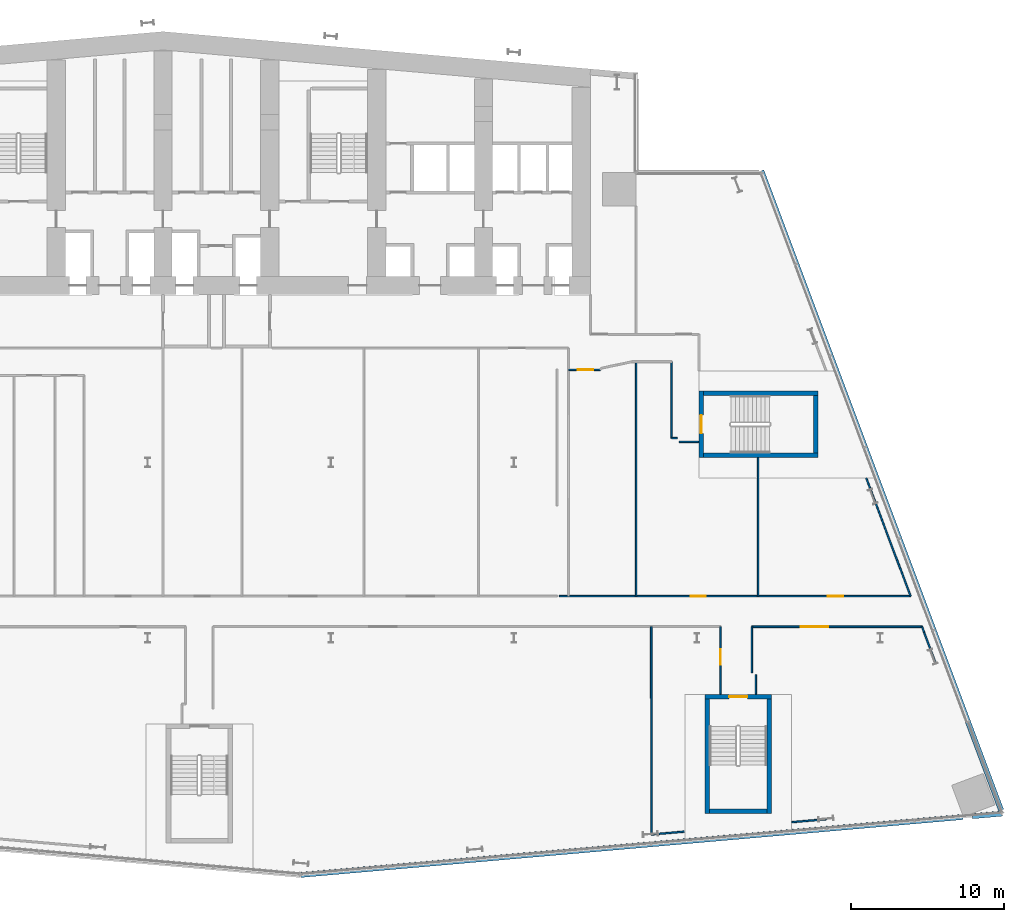
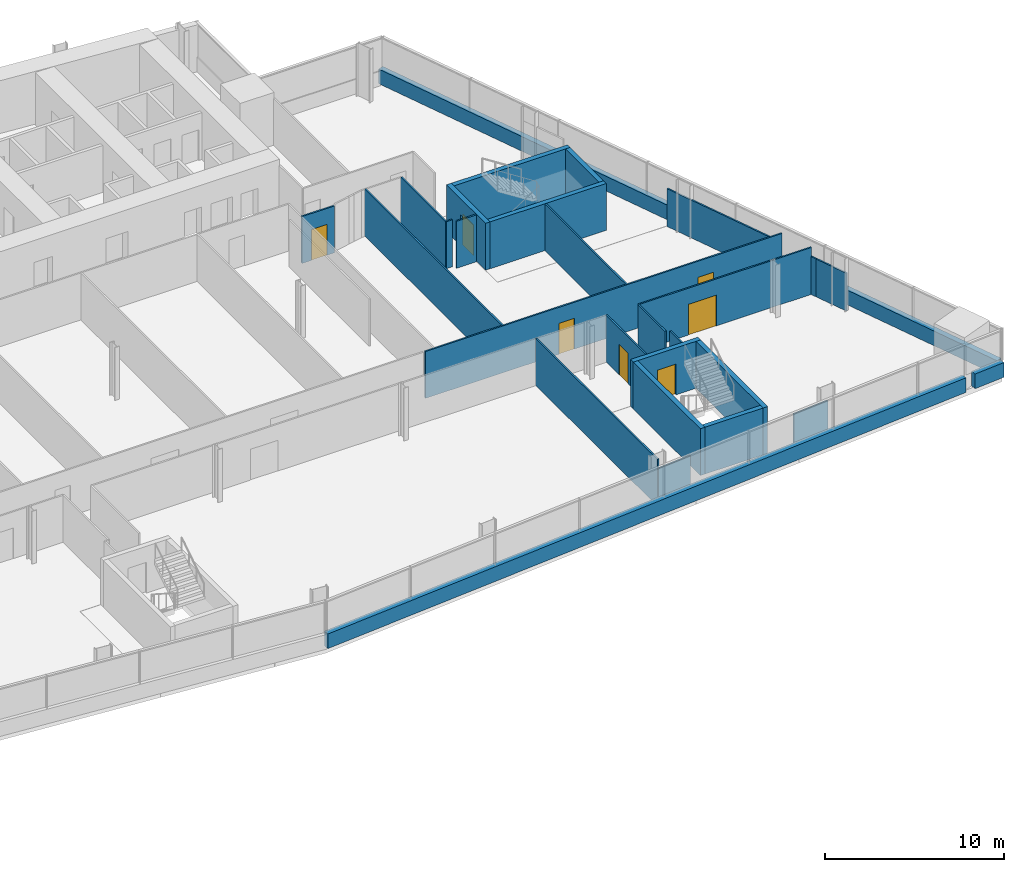
# One storey, part 18 of 24: 28 walls, 7 doors, 7 openings.
"""IFC4 building model written with IfcOpenShell, lengths in metres."""

from ifc_helpers import new_model, si_unit, direction, frame, frame_2d, origin, place, context, subcontext, project, spatial, rectangle, extrude, material, layer, layer_set, type_object, element, fill, save


model = new_model("IFC4")

# Units and contexts
model_context = context("Model", 3, precision=1e-05, world=origin(), true_north=direction((0.0, 1.0)))
body_context = subcontext(model_context, "Body", "Model", "MODEL_VIEW")
ifc_project = project(units=[si_unit("LENGTHUNIT", "METRE"), si_unit("AREAUNIT", "SQUARE_METRE"), si_unit("VOLUMEUNIT", "CUBIC_METRE"), si_unit("PLANEANGLEUNIT", "RADIAN"), si_unit("MASSUNIT", "GRAM", prefix="KILO")], contexts=[model_context])

# Site, building, storey
site_placement = place(None, origin())
site = spatial("IfcSite", under=ifc_project, at=site_placement, CompositionType="ELEMENT")
building_placement = place(site_placement, origin())
building = spatial("IfcBuilding", under=site, at=building_placement, Name="Wharfspan Tower", CompositionType="ELEMENT")
storey_placement = place(building_placement, frame((0.0, 0.0, 41.5)))
storey = spatial("IfcBuildingStorey", under=building, at=storey_placement, Name="L06", CompositionType="ELEMENT", Elevation=41.5)

# Wall, openings, doors
ifc_material_1 = material(Name="Gypsum board on steel studs", Category="steel")
ifc_layer_1 = layer(ifc_material_1, 0.100098)
ifc_layer_set_1 = layer_set([ifc_layer_1], Name="Gypsum board on steel studs")
wall_type_1 = type_object("IfcWallType", Name="Compartment wall 100 EI 60", PredefinedType="PARTITIONING", material=ifc_layer_set_1)
wall_1_placement = place(storey_placement, frame((62.97998, 14.23999, 0.0), z_axis=(0.0, 0.0, 1.0), x_axis=(1.0, 0.0, 0.0)))
wall_1 = element("IfcWall", 1, at=wall_1_placement, inside=storey, type_object=wall_type_1, Name="Partition L06.w047", PredefinedType="PARTITIONING", context=body_context, shape_type="SweptSolid", body=[
    extrude(rectangle(XDim=23.01001, YDim=0.100098, at=frame_2d((11.504883, 0.0))), origin(), (0.0, 0.0, 1.0), 3.199951),
])
opening_1_placement = place(wall_1_placement, frame((8.600098, 0.0, 0.0)))
opening_1 = element("IfcOpeningElement", 2, at=opening_1_placement, cuts=wall_1, Name="Opening A1-17", PredefinedType="OPENING", context=body_context, shape_type="SweptSolid", body=[
    extrude(rectangle(XDim=1.0, YDim=2.100098, at=frame_2d((0.5, 1.050049))), frame((0.0, 0.060059, 0.0), z_axis=(0.0, -1.0, 0.0), x_axis=(1.0, 0.0, 0.0)), (0.0, 0.0, 1.0), 0.120117),
])
opening_2_placement = place(wall_1_placement, frame((17.595459, 0.0, 0.0)))
opening_2 = element("IfcOpeningElement", 3, at=opening_2_placement, cuts=wall_1, Name="Opening A1-18", PredefinedType="OPENING", context=body_context, shape_type="SweptSolid", body=[
    extrude(rectangle(XDim=1.0, YDim=2.100098, at=frame_2d((0.5, 1.050049))), frame((0.0, 0.060059, 0.0), z_axis=(0.0, -1.0, 0.0), x_axis=(1.0, 0.0, 0.0)), (0.0, 0.0, 1.0), 0.120117),
])
ifc_material_2 = material(Name="Fire-rated timber door leaf in steel frame", Category="steel")
door_type_1 = type_object("IfcDoorType", Name="Door 1000 FD30S Left", OperationType="SINGLE_SWING_LEFT", PredefinedType="DOOR", material=ifc_material_2)
door_1_placement = place(opening_1_placement, origin())
door_1 = element("IfcDoor", 4, at=door_1_placement, inside=storey, type_object=door_type_1, Name="Door A1-17", OperationType="SINGLE_SWING_LEFT", OverallHeight=2.100098, OverallWidth=1.0, PredefinedType="DOOR", context=body_context, shape_type="SweptSolid", body=[
    extrude(rectangle(XDim=1.0, YDim=2.100098, at=frame_2d((0.5, 1.050049))), frame((0.0, 0.024902, 0.0), z_axis=(0.0, -1.0, 0.0), x_axis=(1.0, 0.0, 0.0)), (0.0, 0.0, 1.0), 0.050049),
])
fill(opening_1, door_1)
door_type_2 = type_object("IfcDoorType", Name="Door 1000 FD30S Right", OperationType="SINGLE_SWING_RIGHT", PredefinedType="DOOR", material=ifc_material_2)
door_2_placement = place(opening_2_placement, origin())
door_2 = element("IfcDoor", 5, at=door_2_placement, inside=storey, type_object=door_type_2, Name="Door A1-18", OperationType="SINGLE_SWING_RIGHT", OverallHeight=2.100098, OverallWidth=1.0, PredefinedType="DOOR", context=body_context, shape_type="SweptSolid", body=[
    extrude(rectangle(XDim=1.0, YDim=2.100098, at=frame_2d((0.5, 1.050049))), frame((0.0, 0.024902, 0.0), z_axis=(0.0, -1.0, 0.0), x_axis=(1.0, 0.0, 0.0)), (0.0, 0.0, 1.0), 0.050049),
])
fill(opening_2, door_2)

# Wall, opening, door
wall_2_placement = place(storey_placement, frame((63.574951, 29.074951, 0.0), z_axis=(0.0, 0.0, 1.0), x_axis=(1.0, 0.0, 0.0)))
wall_2 = element("IfcWall", 6, at=wall_2_placement, inside=storey, type_object=wall_type_1, Name="Partition L06.w049", PredefinedType="PARTITIONING", context=body_context, shape_type="SweptSolid", body=[
    extrude(rectangle(XDim=2.080078, YDim=0.100098, at=frame_2d((1.040039, 0.0))), origin(), (0.0, 0.0, 1.0), 3.199951),
])
opening_3_placement = place(wall_2_placement, frame((0.620117, 0.0, 0.0)))
opening_3 = element("IfcOpeningElement", 7, at=opening_3_placement, cuts=wall_2, Name="Opening A1-25", PredefinedType="OPENING", context=body_context, shape_type="SweptSolid", body=[
    extrude(rectangle(XDim=1.0, YDim=2.100098, at=frame_2d((0.5, 1.050049))), frame((0.0, 0.060059, 0.0), z_axis=(0.0, -1.0, 0.0), x_axis=(1.0, 0.0, 0.0)), (0.0, 0.0, 1.0), 0.120117),
])
door_3_placement = place(opening_3_placement, origin())
door_3 = element("IfcDoor", 8, at=door_3_placement, inside=storey, type_object=door_type_2, Name="Door A1-25", OperationType="SINGLE_SWING_RIGHT", OverallHeight=2.100098, OverallWidth=1.0, PredefinedType="DOOR", context=body_context, shape_type="SweptSolid", body=[
    extrude(rectangle(XDim=1.0, YDim=2.100098, at=frame_2d((0.5, 1.050049))), frame((0.0, 0.024902, 0.0), z_axis=(0.0, -1.0, 0.0), x_axis=(1.0, 0.0, 0.0)), (0.0, 0.0, 1.0), 0.050049),
])
fill(opening_3, door_3)

# Walls
wall_3_placement = place(storey_placement, frame((68.0, 14.23999, 0.0), z_axis=(0.0, 0.0, 1.0), x_axis=(0.0, 1.0, 0.0)))
element("IfcWall", 9, at=wall_3_placement, inside=storey, type_object=wall_type_1, Name="Partition L06.w057", PredefinedType="PARTITIONING", context=body_context, shape_type="SweptSolid", body=[
    extrude(rectangle(XDim=15.360107, YDim=0.100098, at=frame_2d((7.680176, 0.0))), origin(), (0.0, 0.0, 1.0), 3.199951),
])
wall_4_placement = place(storey_placement, frame((69.0, -1.379883, 0.0), z_axis=(0.0, 0.0, 1.0), x_axis=(-0.000359, 1.000002, 0.0)))
element("IfcWall", 10, at=wall_4_placement, inside=storey, type_object=wall_type_1, Name="Partition L06.w059", PredefinedType="PARTITIONING", context=body_context, shape_type="SweptSolid", body=[
    extrude(rectangle(XDim=13.61499, YDim=0.100098, at=frame_2d((6.807617, 0.0))), origin(), (0.0, 0.0, 1.0), 3.199951),
])
wall_5_placement = place(storey_placement, frame((70.324951, 24.600098, 0.0), z_axis=(0.0, 0.0, 1.0), x_axis=(0.0, 1.0, 0.0)))
element("IfcWall", 11, at=wall_5_placement, inside=storey, type_object=wall_type_1, Name="Partition L06.w061", PredefinedType="PARTITIONING", context=body_context, shape_type="SweptSolid", body=[
    extrude(rectangle(XDim=5.0, YDim=0.100098, at=frame_2d((2.5, 0.0))), origin(), (0.0, 0.0, 1.0), 3.199951),
])
wall_6_placement = place(storey_placement, frame((70.324951, 24.600098, 0.0), z_axis=(0.0, 0.0, 1.0), x_axis=(1.0, 0.0, 0.0)))
element("IfcWall", 12, at=wall_6_placement, inside=storey, type_object=wall_type_1, Name="Partition L06.w062", PredefinedType="PARTITIONING", context=body_context, shape_type="SweptSolid", body=[
    extrude(rectangle(XDim=0.380127, YDim=0.100098, at=frame_2d((0.189941, 0.0))), origin(), (0.0, 0.0, 1.0), 3.199951),
])
wall_7_placement = place(storey_placement, frame((70.824951, 24.350098, 0.0), z_axis=(0.0, 0.0, 1.0), x_axis=(1.0, 0.0, 0.0)))
element("IfcWall", 13, at=wall_7_placement, inside=storey, type_object=wall_type_1, Name="Partition L06.w063", PredefinedType="PARTITIONING", context=body_context, shape_type="SweptSolid", body=[
    extrude(rectangle(XDim=1.280029, YDim=0.100098, at=frame_2d((0.640137, 0.0))), origin(), (0.0, 0.0, 1.0), 3.199951),
])

# Wall, opening, door
wall_8_placement = place(storey_placement, frame((73.540039, 7.812012, 0.0), z_axis=(0.0, 0.0, 1.0), x_axis=(0.0, 1.0, 0.0)))
wall_8 = element("IfcWall", 14, at=wall_8_placement, inside=storey, type_object=wall_type_1, Name="Partition L06.w065", PredefinedType="PARTITIONING", context=body_context, shape_type="SweptSolid", body=[
    extrude(rectangle(XDim=4.423096, YDim=0.100098, at=frame_2d((2.211426, 0.0))), origin(), (0.0, 0.0, 1.0), 3.199951),
])
opening_4_placement = place(wall_8_placement, frame((1.943115, 0.0, 0.0)))
opening_4 = element("IfcOpeningElement", 15, at=opening_4_placement, cuts=wall_8, Name="Opening A1-01", PredefinedType="OPENING", context=body_context, shape_type="SweptSolid", body=[
    extrude(rectangle(XDim=1.0, YDim=2.100098, at=frame_2d((0.5, 1.050049))), frame((0.0, 0.060059, 0.0), z_axis=(0.0, -1.0, 0.0), x_axis=(1.0, 0.0, 0.0)), (0.0, 0.0, 1.0), 0.120117),
])
door_4_placement = place(opening_4_placement, origin())
door_4 = element("IfcDoor", 16, at=door_4_placement, inside=storey, type_object=door_type_2, Name="Door A1-01", OperationType="SINGLE_SWING_RIGHT", OverallHeight=2.100098, OverallWidth=1.0, PredefinedType="DOOR", context=body_context, shape_type="SweptSolid", body=[
    extrude(rectangle(XDim=1.0, YDim=2.100098, at=frame_2d((0.5, 1.050049))), frame((0.0, 0.024902, 0.0), z_axis=(0.0, -1.0, 0.0), x_axis=(1.0, 0.0, 0.0)), (0.0, 0.0, 1.0), 0.050049),
])
fill(opening_4, door_4)

# Wall
wall_9_placement = place(storey_placement, frame((75.594971, 9.209961, 0.0), z_axis=(0.0, 0.0, 1.0), x_axis=(0.0, 1.0, 0.0)))
element("IfcWall", 17, at=wall_9_placement, inside=storey, type_object=wall_type_1, Name="Partition L06.w066", PredefinedType="PARTITIONING", context=body_context, shape_type="SweptSolid", body=[
    extrude(rectangle(XDim=3.02002, YDim=0.100098, at=frame_2d((1.51001, 0.0))), origin(), (0.0, 0.0, 1.0), 3.199951),
])

# Wall, opening, door
wall_10_placement = place(storey_placement, frame((75.594971, 12.235107, 0.0), z_axis=(0.0, 0.0, 1.0), x_axis=(1.0, 0.0, 0.0)))
wall_10 = element("IfcWall", 18, at=wall_10_placement, inside=storey, type_object=wall_type_1, Name="Partition L06.w067", PredefinedType="PARTITIONING", context=body_context, shape_type="SweptSolid", body=[
    extrude(rectangle(XDim=11.14502, YDim=0.100098, at=frame_2d((5.57251, 0.0))), origin(), (0.0, 0.0, 1.0), 3.199951),
])
opening_5_placement = place(wall_10_placement, frame((3.192383, 0.0, 0.0)))
opening_5 = element("IfcOpeningElement", 19, at=opening_5_placement, cuts=wall_10, Name="Opening A1-09", PredefinedType="OPENING", context=body_context, shape_type="SweptSolid", body=[
    extrude(rectangle(XDim=1.800049, YDim=2.100098, at=frame_2d((0.899902, 1.050049))), frame((0.0, 0.060059, 0.0), z_axis=(0.0, -1.0, 0.0), x_axis=(1.0, 0.0, 0.0)), (0.0, 0.0, 1.0), 0.120117),
])
door_type_3 = type_object("IfcDoorType", Name="Door 1800 FD30S Double", OperationType="DOUBLE_DOOR_SINGLE_SWING", PredefinedType="DOOR", material=ifc_material_2)
door_5_placement = place(opening_5_placement, origin())
door_5 = element("IfcDoor", 20, at=door_5_placement, inside=storey, type_object=door_type_3, Name="Door A1-09", OperationType="DOUBLE_DOOR_SINGLE_SWING", OverallHeight=2.100098, OverallWidth=1.800049, PredefinedType="DOOR", context=body_context, shape_type="SweptSolid", body=[
    extrude(rectangle(XDim=1.800049, YDim=2.100098, at=frame_2d((0.899902, 1.050049))), frame((0.0, 0.024902, 0.0), z_axis=(0.0, -1.0, 0.0), x_axis=(1.0, 0.0, 0.0)), (0.0, 0.0, 1.0), 0.050049),
])
fill(opening_5, door_5)

# Walls
wall_11_placement = place(storey_placement, frame((75.844971, 7.812012, 0.0), z_axis=(0.0, 0.0, 1.0), x_axis=(0.0, 1.0, 0.0)))
element("IfcWall", 21, at=wall_11_placement, inside=storey, type_object=wall_type_1, Name="Partition L06.w068", PredefinedType="PARTITIONING", context=body_context, shape_type="SweptSolid", body=[
    extrude(rectangle(XDim=1.278076, YDim=0.100098, at=frame_2d((0.63916, 0.0))), origin(), (0.0, 0.0, 1.0), 3.199951),
])
wall_12_placement = place(storey_placement, frame((76.0, 14.23999, 0.0), z_axis=(0.0, 0.0, 1.0), x_axis=(0.0, 1.0, 0.0)))
element("IfcWall", 22, at=wall_12_placement, inside=storey, type_object=wall_type_1, Name="Partition L06.w069", PredefinedType="PARTITIONING", context=body_context, shape_type="SweptSolid", body=[
    extrude(rectangle(XDim=9.084961, YDim=0.100098, at=frame_2d((4.54248, 0.0))), origin(), (0.0, 0.0, 1.0), 3.199951),
])
wall_13_placement = place(storey_placement, frame((85.98999, 14.23999, 0.0), z_axis=(0.0, 0.0, 1.0), x_axis=(-0.351133, 0.936325, 0.0)))
element("IfcWall", 23, at=wall_13_placement, inside=storey, type_object=wall_type_1, Name="Partition L06.w073", PredefinedType="PARTITIONING", context=body_context, shape_type="SweptSolid", body=[
    extrude(rectangle(XDim=8.266357, YDim=0.100098, at=frame_2d((4.133301, 0.0))), origin(), (0.0, 0.0, 1.0), 2.580078),
])
wall_14_placement = place(storey_placement, frame((86.879883, 11.85498, 0.0), z_axis=(0.0, 0.0, 1.0), x_axis=(-0.34537, 0.938466, 0.0)))
element("IfcWall", 24, at=wall_14_placement, inside=storey, type_object=wall_type_1, Name="Partition L06.w074", PredefinedType="PARTITIONING", context=body_context, shape_type="SweptSolid", body=[
    extrude(rectangle(XDim=0.405029, YDim=0.100098, at=frame_2d((0.202637, 0.0))), origin(), (0.0, 0.0, 1.0), 2.580078),
])
ifc_layer_2 = layer(ifc_material_1, 0.100098)
ifc_layer_set_2 = layer_set([ifc_layer_2], Name="Gypsum board on steel studs")
wall_type_2 = type_object("IfcWallType", Name="Partition 100", PredefinedType="PARTITIONING", material=ifc_layer_set_2)
wall_15_placement = place(storey_placement, frame((69.0, -1.379883, 0.0), z_axis=(0.0, 0.0, 1.0), x_axis=(0.996261, 0.086427, 0.0)))
element("IfcWall", 25, at=wall_15_placement, inside=storey, type_object=wall_type_2, Name="Partition L06.w060", PredefinedType="PARTITIONING", context=body_context, shape_type="SweptSolid", body=[
    extrude(rectangle(XDim=2.180664, YDim=0.100098, at=frame_2d((1.090332, 0.0))), origin(), (0.0, 0.0, 1.0), 2.580078),
])
wall_16_placement = place(storey_placement, frame((78.212402, -0.572998, 0.0), z_axis=(0.0, 0.0, 1.0), x_axis=(0.996271, 0.08623, 0.0)))
element("IfcWall", 26, at=wall_16_placement, inside=storey, type_object=wall_type_2, Name="Partition L06.w070", PredefinedType="PARTITIONING", context=body_context, shape_type="SweptSolid", body=[
    extrude(rectangle(XDim=2.296143, YDim=0.100098, at=frame_2d((1.147949, 0.0))), origin(), (0.0, 0.0, 1.0), 2.580078),
])
wall_17_placement = place(storey_placement, frame((87.649902, 9.810059, 0.0), z_axis=(0.0, 0.0, 1.0), x_axis=(-0.352397, 0.935852, 0.0)))
element("IfcWall", 27, at=wall_17_placement, inside=storey, type_object=wall_type_2, Name="Partition L06.w075", PredefinedType="PARTITIONING", context=body_context, shape_type="SweptSolid", body=[
    extrude(rectangle(XDim=2.185059, YDim=0.100098, at=frame_2d((1.092529, 0.0))), origin(), (0.0, 0.0, 1.0), 2.580078),
])
ifc_material_3 = material(Name="Concrete C40/50", Category="concrete")
ifc_layer_3 = layer(ifc_material_3, 0.350098)
ifc_layer_set_3 = layer_set([ifc_layer_3], Name="Concrete C40/50")
wall_type_3 = type_object("IfcWallType", Name="SPANDREL EXPOSED CONCRETE 350", PredefinedType="SOLIDWALL", material=ifc_layer_set_3)
wall_18_placement = place(storey_placement, frame((46.04541, -4.025635, 0.0), z_axis=(0.0, 0.0, 1.0), x_axis=(0.996198, 0.08716, 0.0)))
element("IfcWall", 28, at=wall_18_placement, inside=storey, type_object=wall_type_3, Name="Spandrel upstand L06 S2", PredefinedType="SOLIDWALL", context=body_context, shape_type="SweptSolid", body=[
    extrude(rectangle(XDim=43.528809, YDim=0.350098, at=frame_2d((21.764404, 0.0))), origin(), (0.0, 0.0, 1.0), 1.0),
])
wall_19_placement = place(storey_placement, frame((90.039062, -0.176514, 0.0), z_axis=(0.0, 0.0, 1.0), x_axis=(0.996193, 0.08717, 0.0)))
element("IfcWall", 29, at=wall_19_placement, inside=storey, type_object=wall_type_3, Name="Spandrel upstand L06 S2 2", PredefinedType="SOLIDWALL", context=body_context, shape_type="SweptSolid", body=[
    extrude(rectangle(XDim=1.968994, YDim=0.350098, at=frame_2d((0.984375, 0.0))), origin(), (0.0, 0.0, 1.0), 1.0),
])
wall_20_placement = place(storey_placement, frame((91.926025, 0.211182, 0.0), z_axis=(0.0, 0.0, 1.0), x_axis=(-0.351119, 0.93633, 0.0)))
element("IfcWall", 30, at=wall_20_placement, inside=storey, type_object=wall_type_3, Name="Spandrel upstand L06 E", PredefinedType="SOLIDWALL", context=body_context, shape_type="SweptSolid", body=[
    extrude(rectangle(XDim=44.75708, YDim=0.350098, at=frame_2d((22.378418, 0.0))), origin(), (0.0, 0.0, 1.0), 1.0),
])

# Wall, opening, door
ifc_layer_4 = layer(ifc_material_3, 0.300049)
ifc_layer_set_4 = layer_set([ifc_layer_4], Name="Concrete C40/50")
wall_type_4 = type_object("IfcWallType", Name="Stair core wall 300", PredefinedType="SHEAR", material=ifc_layer_set_4)
wall_21_placement = place(storey_placement, frame((72.517578, 7.64209, 0.0), z_axis=(0.0, 0.0, 1.0), x_axis=(1.0, 0.0, 0.0)))
wall_21 = element("IfcWall", 31, at=wall_21_placement, inside=storey, type_object=wall_type_4, Name="ST5 stair enclosure wall L06", PredefinedType="SHEAR", context=body_context, shape_type="SweptSolid", body=[
    extrude(rectangle(XDim=4.349854, YDim=0.300049, at=frame_2d((2.174805, 0.0))), origin(), (0.0, 0.0, 1.0), 3.199951),
])
opening_6_placement = place(wall_21_placement, frame((1.574951, 0.0, 0.0)))
opening_6 = element("IfcOpeningElement", 32, at=opening_6_placement, cuts=wall_21, Name="Opening SD5.L06", PredefinedType="OPENING", context=body_context, shape_type="SweptSolid", body=[
    extrude(rectangle(XDim=1.199951, YDim=2.100098, at=frame_2d((0.600098, 1.050049))), frame((0.0, 0.159912, 0.0), z_axis=(0.0, -1.0, 0.0), x_axis=(1.0, 0.0, 0.0)), (0.0, 0.0, 1.0), 0.320068),
])
ifc_material_4 = material(Name="Steel door leaf", Category="steel")
door_type_4 = type_object("IfcDoorType", Name="Stair door 1200x2100", OperationType="SINGLE_SWING_LEFT", PredefinedType="DOOR", material=ifc_material_4)
door_6_placement = place(opening_6_placement, origin())
door_6 = element("IfcDoor", 33, at=door_6_placement, inside=storey, type_object=door_type_4, Name="sd:L06:ST5z1", OperationType="SINGLE_SWING_RIGHT", OverallHeight=2.100098, OverallWidth=1.199951, PredefinedType="DOOR", context=body_context, shape_type="SweptSolid", body=[
    extrude(rectangle(XDim=1.199951, YDim=2.100098, at=frame_2d((0.600098, 1.050049))), frame((0.0, 0.024902, 0.0), z_axis=(0.0, -1.0, 0.0), x_axis=(1.0, 0.0, 0.0)), (0.0, 0.0, 1.0), 0.050049),
])
fill(opening_6, door_6)

wall_22_placement = place(storey_placement, frame((72.274902, 23.324951, 0.0), z_axis=(0.0, 0.0, 1.0), x_axis=(0.0, 1.0, 0.0)))
wall_22 = element("IfcWall", 34, at=wall_22_placement, inside=storey, type_object=wall_type_4, Name="ST6 stair enclosure wall L06", PredefinedType="SHEAR", context=body_context, shape_type="SweptSolid", body=[
    extrude(rectangle(XDim=4.350098, YDim=0.300049, at=frame_2d((2.175049, 0.0))), origin(), (0.0, 0.0, 1.0), 3.199951),
])
opening_7_placement = place(wall_22_placement, frame((1.574951, 0.0, 0.0)))
opening_7 = element("IfcOpeningElement", 35, at=opening_7_placement, cuts=wall_22, Name="Opening SD6.L06", PredefinedType="OPENING", context=body_context, shape_type="SweptSolid", body=[
    extrude(rectangle(XDim=1.199951, YDim=2.100098, at=frame_2d((0.600098, 1.050049))), frame((0.0, 0.159912, 0.0), z_axis=(0.0, -1.0, 0.0), x_axis=(1.0, 0.0, 0.0)), (0.0, 0.0, 1.0), 0.320068),
])
door_7_placement = place(opening_7_placement, origin())
door_7 = element("IfcDoor", 36, at=door_7_placement, inside=storey, type_object=door_type_4, Name="sd:L06:ST6z1", OperationType="SINGLE_SWING_RIGHT", OverallHeight=2.100098, OverallWidth=1.199951, PredefinedType="DOOR", context=body_context, shape_type="SweptSolid", body=[
    extrude(rectangle(XDim=1.199951, YDim=2.100098, at=frame_2d((0.600098, 1.050049))), frame((0.0, 0.024902, 0.0), z_axis=(0.0, -1.0, 0.0), x_axis=(1.0, 0.0, 0.0)), (0.0, 0.0, 1.0), 0.050049),
])
fill(opening_7, door_7)

# Walls
for number, where, z_axis, x_axis, name in (
    (37, (72.66748, -0.008057, 0.0), (0.0, 0.0, 1.0), (0.0, 1.0, 0.0), "ST5 stair enclosure wall L06"),
    (38, (76.717529, -0.008057, 0.0), (0.0, 0.0, 1.0), (0.0, 1.0, 0.0), "ST5 stair enclosure wall L06"),
):
    element("IfcWall", number, at=place(storey_placement, frame(where, z_axis=z_axis, x_axis=x_axis)), inside=storey, type_object=wall_type_4, Name=name, PredefinedType="SHEAR", context=body_context, shape_type="SweptSolid", body=[
        extrude(rectangle(XDim=7.5, YDim=0.300049, at=frame_2d((3.75, 0.0))), origin(), (0.0, 0.0, 1.0), 3.199951),
    ])
wall_23_placement = place(storey_placement, frame((72.817383, 0.14209, 0.0), z_axis=(0.0, 0.0, 1.0), x_axis=(1.0, 0.0, 0.0)))
element("IfcWall", 39, at=wall_23_placement, inside=storey, type_object=wall_type_4, Name="ST5 stair enclosure wall L06", PredefinedType="SHEAR", context=body_context, shape_type="SweptSolid", body=[
    extrude(rectangle(XDim=3.75, YDim=0.300049, at=frame_2d((1.875, 0.0))), origin(), (0.0, 0.0, 1.0), 3.199951),
])
for number, where, z_axis, x_axis, name in (
    (40, (72.425049, 23.475098, 0.0), (0.0, 0.0, 1.0), (1.0, 0.0, 0.0), "ST6 stair enclosure wall L06"),
    (41, (72.425049, 27.524902, 0.0), (0.0, 0.0, 1.0), (1.0, 0.0, 0.0), "ST6 stair enclosure wall L06"),
):
    element("IfcWall", number, at=place(storey_placement, frame(where, z_axis=z_axis, x_axis=x_axis)), inside=storey, type_object=wall_type_4, Name=name, PredefinedType="SHEAR", context=body_context, shape_type="SweptSolid", body=[
        extrude(rectangle(XDim=7.5, YDim=0.300049, at=frame_2d((3.75, 0.0))), origin(), (0.0, 0.0, 1.0), 3.199951),
    ])
wall_24_placement = place(storey_placement, frame((79.774902, 23.625, 0.0), z_axis=(0.0, 0.0, 1.0), x_axis=(0.0, 1.0, 0.0)))
element("IfcWall", 42, at=wall_24_placement, inside=storey, type_object=wall_type_4, Name="ST6 stair enclosure wall L06", PredefinedType="SHEAR", context=body_context, shape_type="SweptSolid", body=[
    extrude(rectangle(XDim=3.75, YDim=0.300049, at=frame_2d((1.875, 0.0))), origin(), (0.0, 0.0, 1.0), 3.199951),
])

save(model, "model.ifc")
